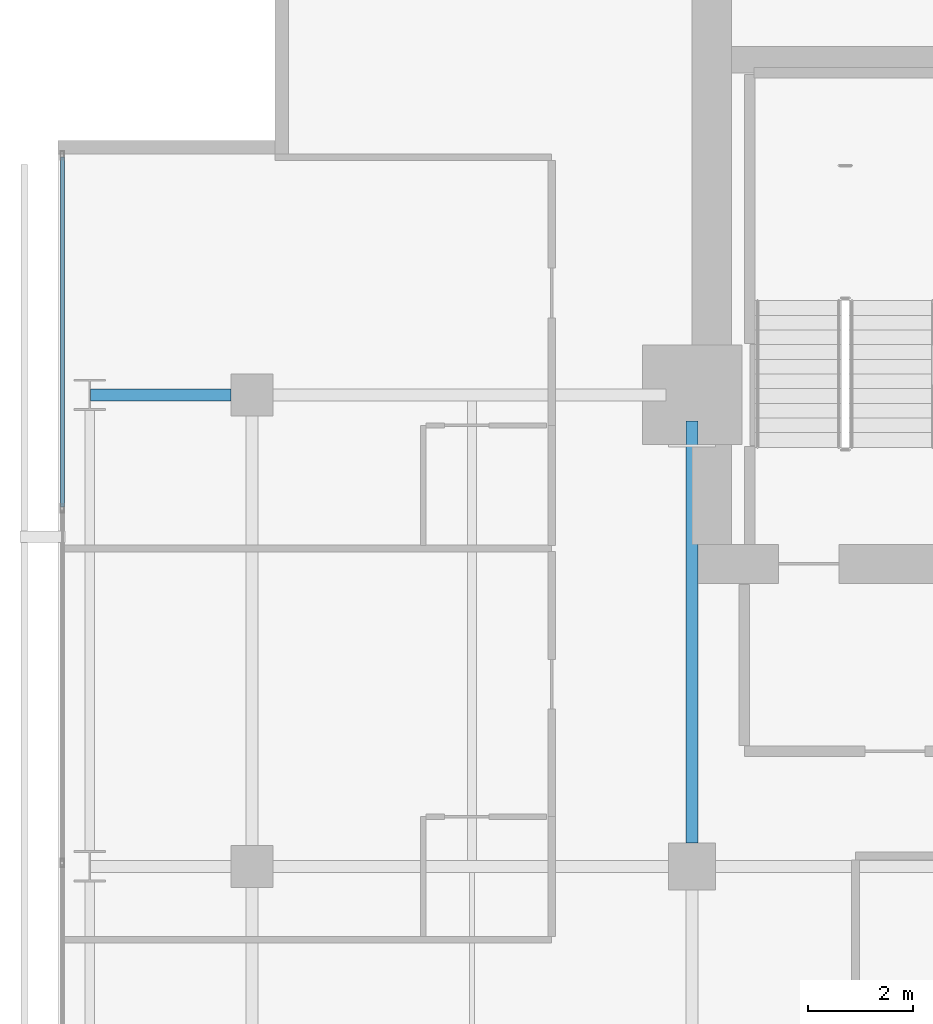
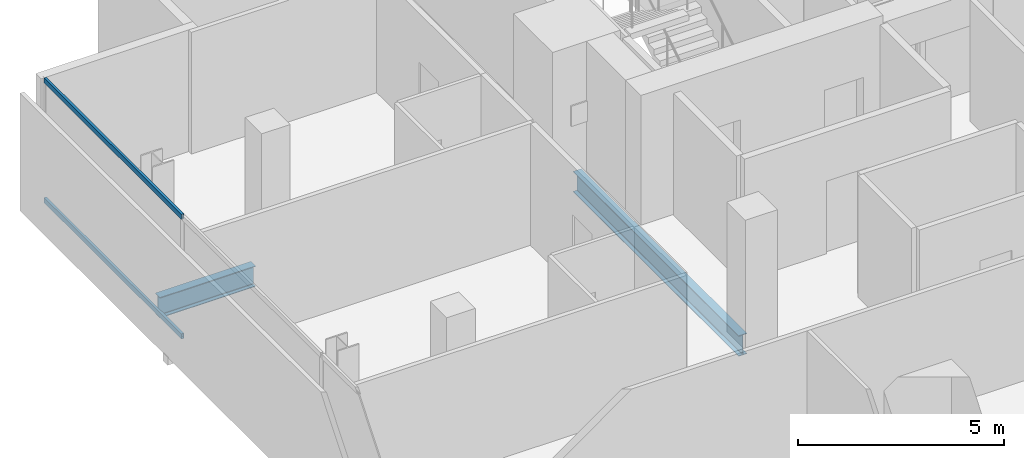
# One storey, part 19 of 33: 2 beams, 2 members, 1 element without a shape of its own.
"""IFC4 building model written with IfcOpenShell, lengths in metres."""

from ifc_helpers import new_model, si_unit, direction, frame, origin, origin_2d, place, context, subcontext, project, spatial, hollow_rectangle, i_section, extrude, material, layer, layer_set, material_profile, profile_set, type_object, element, aggregate, save


model = new_model("IFC4")

# Units and contexts
model_context = context("Model", 3, precision=1e-05, world=origin(), true_north=direction((0.0, 1.0)))
body_context = subcontext(model_context, "Body", "Model", "MODEL_VIEW")
ifc_project = project(units=[si_unit("LENGTHUNIT", "METRE"), si_unit("AREAUNIT", "SQUARE_METRE"), si_unit("VOLUMEUNIT", "CUBIC_METRE"), si_unit("PLANEANGLEUNIT", "RADIAN"), si_unit("MASSUNIT", "GRAM", prefix="KILO")], contexts=[model_context])

# Site, building, storey
site_placement = place(None, origin())
site = spatial("IfcSite", under=ifc_project, at=site_placement, CompositionType="ELEMENT")
building_placement = place(site_placement, origin())
building = spatial("IfcBuilding", under=site, at=building_placement, Name="Maruvema Waterfront Hotel and Observation Tower", CompositionType="ELEMENT")
storey_placement = place(building_placement, frame((0.0, 0.0, 150.5)))
storey = spatial("IfcBuildingStorey", under=building, at=storey_placement, Name="L36", CompositionType="ELEMENT", Elevation=150.5)

# Curtain wall, members
ifc_material_1 = material(Name="Anodised bronze aluminium and solar-control low-E IGU", Category="aluminium")
ifc_layer = layer(ifc_material_1, 0.159912109375, Name="Zone 2 Amber Inner Thermal Curtain Wall System CW-03")
ifc_layer_set = layer_set([ifc_layer], Name="Anodised bronze aluminium and solar-control low-E IGU")
curtain_wall_type = type_object("IfcCurtainWallType", Name="Zone 2 Amber Inner Thermal Curtain Wall System CW-03", PredefinedType="USERDEFINED", material=ifc_layer_set)
curtain_wall_placement = place(storey_placement, origin())
curtain_wall = element("IfcCurtainWall", 1, at=curtain_wall_placement, inside=storey, type_object=curtain_wall_type, Name="L36 Curtain Wall CW-L36-W", ObjectType="UNITISED CURTAIN WALL", PredefinedType="USERDEFINED")
ifc_material_2 = material(Name="Anodised architectural bronze aluminium", Category="aluminium")
ifc_material_profile_1 = material_profile(ifc_material_2, hollow_rectangle(XDim=0.070068359375, YDim=0.14990234375, WallThickness=0.00390625, at=origin_2d()), Name="ALU-T70x150")
ifc_profile_set_1 = profile_set([ifc_material_profile_1], Name="Anodised architectural bronze aluminium")
member_type = type_object("IfcMemberType", Name="Curtain Wall Horizontal Transom ALU-T70x150", PredefinedType="USERDEFINED", material=ifc_profile_set_1)
member_1_placement = place(storey_placement, frame((13.179931640625, 49.5400390625, 0.030029296875), z_axis=(0.0, -1.0, 0.0), x_axis=(1.0, 0.0, 0.0)))
member_1 = element("IfcMember", 2, at=member_1_placement, type_object=member_type, Name="CW-03 transom 1.1", ObjectType="TRANSOM", PredefinedType="USERDEFINED", context=body_context, shape_type="SweptSolid", body=[
    extrude(hollow_rectangle(XDim=0.070068359375, YDim=0.14990234375, WallThickness=0.00390625, at=origin_2d()), origin(), (0.0, 0.0, 1.0), 6.6767578125),
])
member_2_placement = place(storey_placement, frame((13.179931640625, 49.5400390625, 3.580078125), z_axis=(0.0, -1.0, 0.0), x_axis=(1.0, 0.0, 0.0)))
member_2 = element("IfcMember", 3, at=member_2_placement, type_object=member_type, Name="CW-03 transom 1.2", ObjectType="TRANSOM", PredefinedType="USERDEFINED", context=body_context, shape_type="SweptSolid", body=[
    extrude(hollow_rectangle(XDim=0.070068359375, YDim=0.14990234375, WallThickness=0.00390625, at=origin_2d()), origin(), (0.0, 0.0, 1.0), 6.6767578125),
])
aggregate(curtain_wall, [member_1, member_2])

# Beams
ifc_material_3 = material(Name="Steel ASTM A572 Grade 50", Category="steel")
ifc_material_profile_2 = material_profile(ifc_material_3, i_section(OverallWidth=0.22900390625, OverallDepth=0.612060546875, WebThickness=0.011962890625, FlangeThickness=0.01953125, FilletRadius=0.01806640625, at=origin_2d()), Name="W610x125.0")
ifc_profile_set_2 = profile_set([ifc_material_profile_2], Name="Steel ASTM A572 Grade 50")
beam_type = type_object("IfcBeamType", Name="Primary Floor Girder W610x125.0", PredefinedType="BEAM", material=ifc_profile_set_2)
beam_1_placement = place(storey_placement, frame((13.71240234375, 45.0, -0.5458984375), z_axis=(1.0, 0.0, 0.0), x_axis=(0.0, 1.0, 0.0)))
element("IfcBeam", 4, at=beam_1_placement, inside=storey, type_object=beam_type, Name="L36 Floor Girder EW-30", PredefinedType="BEAM", context=body_context, shape_type="SweptSolid", body=[
    extrude(i_section(OverallWidth=0.22900390625, OverallDepth=0.612060546875, WebThickness=0.011962890625, FlangeThickness=0.01953125, FilletRadius=0.01806640625, at=origin_2d()), origin(), (0.0, 0.0, 1.0), 2.6875),
])
beam_2_placement = place(storey_placement, frame((25.199951171875, 36.449951171875, -0.5458984375), z_axis=(0.0, 1.0, 0.0), x_axis=(-1.0, 0.0, 0.0)))
element("IfcBeam", 5, at=beam_2_placement, inside=storey, type_object=beam_type, Name="L36 Floor Girder NS-13", PredefinedType="BEAM", context=body_context, shape_type="SweptSolid", body=[
    extrude(i_section(OverallWidth=0.22900390625, OverallDepth=0.612060546875, WebThickness=0.011962890625, FlangeThickness=0.01953125, FilletRadius=0.01806640625, at=origin_2d()), origin(), (0.0, 0.0, 1.0), 8.050048828125),
])

save(model, "model.ifc")
